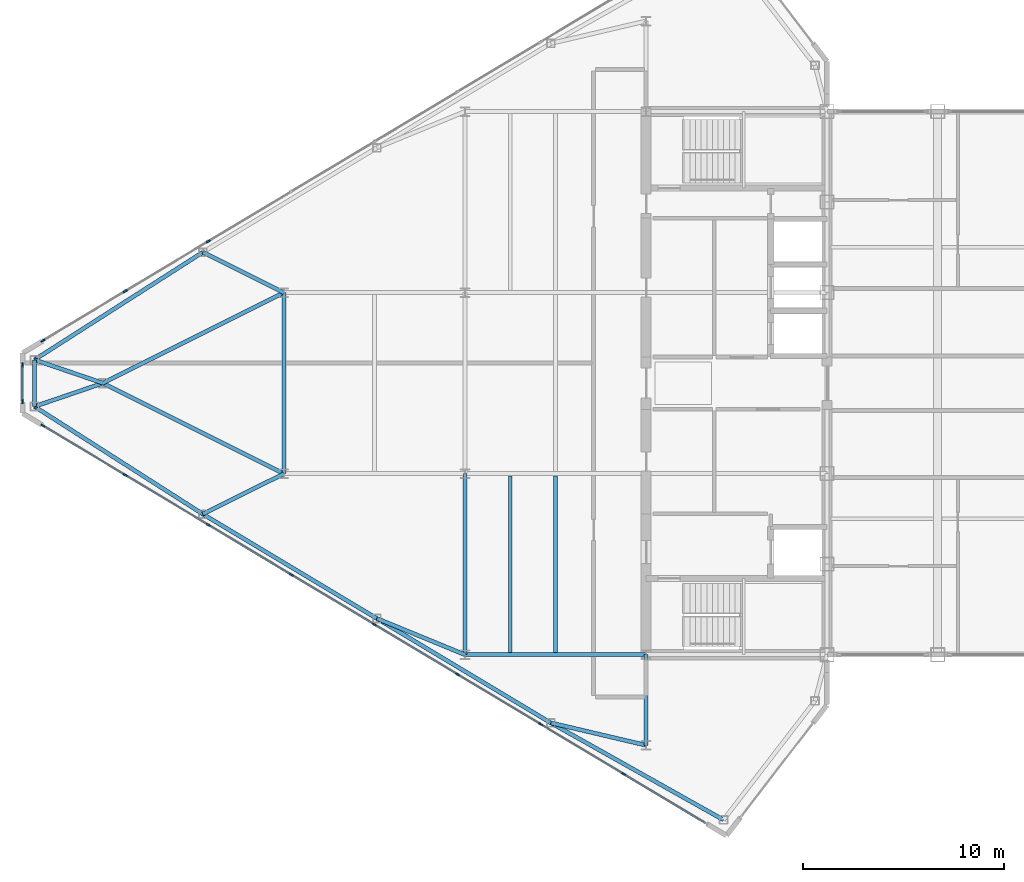
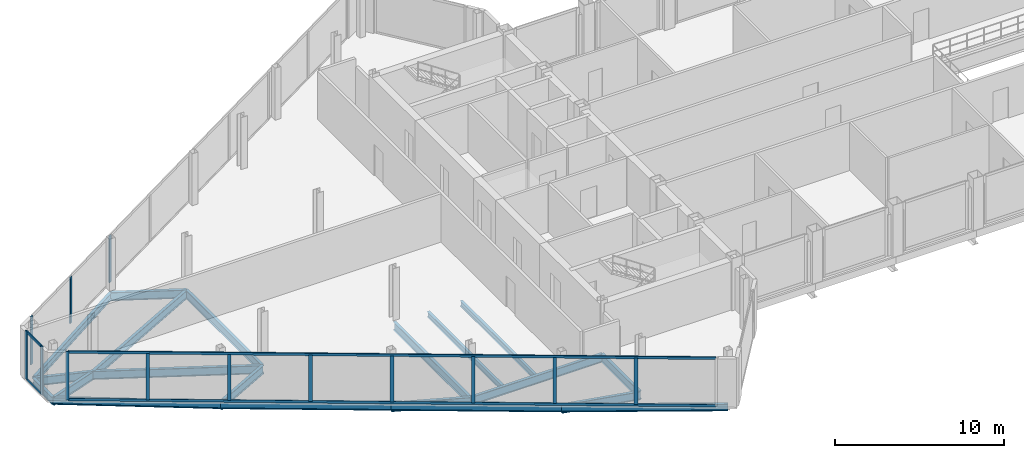
# One storey, part 8 of 28: 20 beams, 17 members, 3 elements without a shape of their own.
"""IFC4 building model written with IfcOpenShell, lengths in metres."""

from ifc_helpers import new_model, si_unit, direction, frame, origin, origin_2d, place, context, subcontext, project, spatial, rectangle, i_section, extrude, source, transform, mapped, material, layer, layer_set, material_profile, profile_set, type_object, type_shapes, element, aggregate, save


model = new_model("IFC4")

# Units and contexts
model_context = context("Model", 3, precision=1e-05, world=origin(), true_north=direction((0.0, 1.0)))
body_context = subcontext(model_context, "Body", "Model", "MODEL_VIEW")
ifc_project = project(units=[si_unit("LENGTHUNIT", "METRE"), si_unit("AREAUNIT", "SQUARE_METRE"), si_unit("VOLUMEUNIT", "CUBIC_METRE"), si_unit("PLANEANGLEUNIT", "RADIAN"), si_unit("MASSUNIT", "GRAM", prefix="KILO")], contexts=[model_context])

# Site, building, storey
site_placement = place(None, origin())
site = spatial("IfcSite", under=ifc_project, at=site_placement, CompositionType="ELEMENT")
building_placement = place(site_placement, origin())
building = spatial("IfcBuilding", under=site, at=building_placement, Name="Seokmaru Belvedere", CompositionType="ELEMENT")
storey_placement = place(building_placement, frame((0.0, 0.0, 265.64990234375)))
storey = spatial("IfcBuildingStorey", under=building, at=storey_placement, Name="L70", CompositionType="ELEMENT", Elevation=265.64990234375)

# Beams
ifc_material_1 = material(Name="Steel SM355 (355 MPa)", Category="steel")
ifc_material_profile_1 = material_profile(ifc_material_1, i_section(OverallWidth=0.199951171875, OverallDepth=0.60009765625, WebThickness=0.010986328125, FlangeThickness=0.01708984375, at=origin_2d()), Name="H-600x200x11x17")
ifc_profile_set_1 = profile_set([ifc_material_profile_1], Name="Steel SM355 (355 MPa)")
beam_type_1 = type_object("IfcBeamType", Name="Primary Floor Girder H-600", PredefinedType="BEAM", material=ifc_profile_set_1)
shared_shape_1 = source(origin(), body_context, "Body", "SweptSolid", [
    extrude(i_section(OverallWidth=0.199951171875, OverallDepth=0.60009765625, WebThickness=0.010986328125, FlangeThickness=0.01708984375, at=origin_2d()), origin(), (0.0, 0.0, 1.0), 9.0),
])
for number, where, z_axis, x_axis, name in (
    (1, (-45.5, -13.5, -0.52001953125), (0.0, 1.0, 0.0), (-1.0, 0.0, 0.0), "L70 W Interior Grid Girder 1"),
    (2, (-45.5, -13.5, -0.52001953125), (1.0, 0.0, 0.0), (0.0, 1.0, 0.0), "L70 W Wing Primary Girder 1"),
    (3, (-54.5, -4.5, -0.52001953125), (0.0, 1.0, 0.0), (-1.0, 0.0, 0.0), "L70 W Apex Frame Girder"),
):
    element("IfcBeam", number, at=place(storey_placement, frame(where, z_axis=z_axis, x_axis=x_axis)), inside=storey, type_object=beam_type_1, Name=name, PredefinedType="BEAM", context=body_context, shape_type="MappedRepresentation", body=[
        mapped(shared_shape_1, transform((0.0, 0.0, 0.0), scale=1.0)),
    ])
shared_shape_2 = source(origin(), body_context, "Body", "SweptSolid", [
    extrude(i_section(OverallWidth=0.199951171875, OverallDepth=0.60009765625, WebThickness=0.010986328125, FlangeThickness=0.01708984375, at=origin_2d()), origin(), (0.0, 0.0, 1.0), 10.062255859375),
])
for number, where, z_axis, x_axis, name in (
    (4, (-54.5, -4.5, -0.52001953125), (-0.894427191, 0.4472135955, 0.0), (-0.4472135955, -0.894427191, 0.0), "L70 W Apex Converging Girder 1"),
    (5, (-54.5, 4.5, -0.52001953125), (-0.894427191, -0.4472135955, 0.0), (0.4472135955, -0.894427191, 0.0), "L70 W Apex Converging Girder 2"),
):
    element("IfcBeam", number, at=place(storey_placement, frame(where, z_axis=z_axis, x_axis=x_axis)), inside=storey, type_object=beam_type_1, Name=name, PredefinedType="BEAM", context=body_context, shape_type="MappedRepresentation", body=[
        mapped(shared_shape_2, transform((0.0, 0.0, 0.0), scale=1.0)),
    ])
ifc_material_profile_2 = material_profile(ifc_material_1, i_section(OverallWidth=0.18505859375, OverallDepth=0.389892578125, WebThickness=0.008056640625, FlangeThickness=0.011962890625, at=origin_2d()), Name="H-390x185x8x12")
ifc_profile_set_2 = profile_set([ifc_material_profile_2], Name="Steel SM355 (355 MPa)")
beam_type_2 = type_object("IfcBeamType", Name="Secondary Floor Joist H-350", PredefinedType="JOIST", material=ifc_profile_set_2)
shared_shape_3 = source(origin(), body_context, "Body", "SweptSolid", [
    extrude(i_section(OverallWidth=0.18505859375, OverallDepth=0.389892578125, WebThickness=0.008056640625, FlangeThickness=0.011962890625, at=origin_2d()), origin(), (0.0, 0.0, 1.0), 8.7900390625),
])
type_shapes(beam_type_2, [shared_shape_3])
for number, where, z_axis, x_axis, name in (
    (6, (-43.25, -13.39501953125, -0.414794921875), (0.0, 1.0, 0.0), (-1.0, 0.0, 0.0), "L70 W Wing Inner Secondary Joist 1"),
    (7, (-41.0, -13.39501953125, -0.414794921875), (0.0, 1.0, 0.0), (-1.0, 0.0, 0.0), "L70 W Secondary Floor Joist 1"),
):
    element("IfcBeam", number, at=place(storey_placement, frame(where, z_axis=z_axis, x_axis=x_axis)), inside=storey, type_object=beam_type_2, Name=name, PredefinedType="JOIST", context=body_context, shape_type="MappedRepresentation", body=[
        mapped(shared_shape_3, transform((0.0, 0.0, 0.0), scale=1.0)),
    ])
shared_shape_4 = source(origin(), body_context, "Body", "SweptSolid", [
    extrude(i_section(OverallWidth=0.199951171875, OverallDepth=0.60009765625, WebThickness=0.010986328125, FlangeThickness=0.01708984375, at=origin_2d()), origin(), (0.0, 0.0, 1.0), 4.5),
])
beam_1_placement = place(storey_placement, frame((-36.5, -18.0, -0.52001953125), z_axis=(0.0, 1.0, 0.0), x_axis=(-1.0, 0.0, 0.0)))
element("IfcBeam", 8, at=beam_1_placement, inside=storey, type_object=beam_type_1, Name="L70 W Core Shoulder Girder S", PredefinedType="BEAM", context=body_context, shape_type="MappedRepresentation", body=[
    mapped(shared_shape_4, transform((0.0, 0.0, 0.0), scale=1.0)),
])
ifc_material_profile_3 = material_profile(ifc_material_1, i_section(OverallWidth=0.199951171875, OverallDepth=0.5, WebThickness=0.010009765625, FlangeThickness=0.01611328125, at=origin_2d()), Name="H-500x200x10x16")
ifc_profile_set_3 = profile_set([ifc_material_profile_3], Name="Steel SM355 (355 MPa)")
beam_type_3 = type_object("IfcBeamType", Name="Perimeter Spandrel Beam H-500", PredefinedType="SPANDREL", material=ifc_profile_set_3)
shared_shape_5 = source(origin(), body_context, "Body", "SweptSolid", [
    extrude(i_section(OverallWidth=0.199951171875, OverallDepth=0.5, WebThickness=0.010009765625, FlangeThickness=0.01611328125, at=origin_2d()), origin(), (0.0, 0.0, 1.0), 9.842041015625),
])
beam_2_placement = place(storey_placement, frame((-32.649658203125, -21.71044921875, -0.469970703125), z_axis=(-0.871782151818, 0.489893743349, 0.0), x_axis=(-0.489893743349, -0.871782151818, 0.0)))
element("IfcBeam", 9, at=beam_2_placement, inside=storey, type_object=beam_type_3, Name="L70 W Faceted Flank Spandrel S-1", PredefinedType="SPANDREL", context=body_context, shape_type="MappedRepresentation", body=[
    mapped(shared_shape_5, transform((0.0, 0.0, 0.0), scale=1.0)),
])
shared_shape_6 = source(origin(), body_context, "Body", "SweptSolid", [
    extrude(i_section(OverallWidth=0.199951171875, OverallDepth=0.5, WebThickness=0.010009765625, FlangeThickness=0.01611328125, at=origin_2d()), origin(), (0.0, 0.0, 1.0), 10.087646484375),
])
for number, where, z_axis, x_axis, name in (
    (10, (-41.229736328125, -16.888916015625, -0.469970703125), (-0.857499332045, 0.514485078056, 0.0), (-0.514485078056, -0.857499332045, 0.0), "L70 W Faceted Flank Spandrel S-2"),
    (11, (-49.8798828125, -11.698974609375, -0.469970703125), (-0.857488654804, 0.514502873542, 0.0), (-0.514502873542, -0.857488654804, 0.0), "L70 W Faceted Flank Spandrel S-3"),
):
    element("IfcBeam", number, at=place(storey_placement, frame(where, z_axis=z_axis, x_axis=x_axis)), inside=storey, type_object=beam_type_3, Name=name, PredefinedType="SPANDREL", context=body_context, shape_type="MappedRepresentation", body=[
        mapped(shared_shape_6, transform((0.0, 0.0, 0.0), scale=1.0)),
    ])
shared_shape_7 = source(origin(), body_context, "Body", "SweptSolid", [
    extrude(i_section(OverallWidth=0.199951171875, OverallDepth=0.5, WebThickness=0.010009765625, FlangeThickness=0.01611328125, at=origin_2d()), origin(), (0.0, 0.0, 1.0), 9.932861328125),
])
for number, where, z_axis, x_axis, name in (
    (12, (-58.530029296875, -6.5087890625, -0.469970703125), (-0.842651960357, 0.538458609093, 0.0), (-0.538458609093, -0.842651960357, 0.0), "L70 W Faceted Flank Spandrel S-4"),
    (13, (-58.530029296875, 6.5087890625, -0.469970703125), (-0.842651960357, -0.538458609093, 0.0), (0.538458609093, -0.842651960357, 0.0), "L70 W Faceted Flank Spandrel N-4"),
):
    element("IfcBeam", number, at=place(storey_placement, frame(where, z_axis=z_axis, x_axis=x_axis)), inside=storey, type_object=beam_type_3, Name=name, PredefinedType="SPANDREL", context=body_context, shape_type="MappedRepresentation", body=[
        mapped(shared_shape_7, transform((0.0, 0.0, 0.0), scale=1.0)),
    ])
shared_shape_8 = source(origin(), body_context, "Body", "SweptSolid", [
    extrude(i_section(OverallWidth=0.199951171875, OverallDepth=0.5, WebThickness=0.010009765625, FlangeThickness=0.01611328125, at=origin_2d()), origin(), (0.0, 0.0, 1.0), 2.32080078125),
])
type_shapes(beam_type_3, [shared_shape_5, shared_shape_6, shared_shape_7, shared_shape_8])
beam_3_placement = place(storey_placement, frame((-66.89990234375, -1.160400390625, -0.469970703125), z_axis=(0.0, 1.0, 0.0), x_axis=(-1.0, 0.0, 0.0)))
element("IfcBeam", 14, at=beam_3_placement, inside=storey, type_object=beam_type_3, Name="L70 W Faceted Apex Spandrel", PredefinedType="SPANDREL", context=body_context, shape_type="MappedRepresentation", body=[
    mapped(shared_shape_8, transform((0.0, 0.0, 0.0), scale=1.0)),
])
shared_shape_9 = source(origin(), body_context, "Body", "SweptSolid", [
    extrude(i_section(OverallWidth=0.199951171875, OverallDepth=0.60009765625, WebThickness=0.010986328125, FlangeThickness=0.01708984375, at=origin_2d()), origin(), (0.0, 0.0, 1.0), 4.8583984375),
])
beam_4_placement = place(storey_placement, frame((-41.229736328125, -16.888916015625, -0.52001953125), z_axis=(0.97349948295, -0.228689214211, 0.0), x_axis=(0.228689214211, 0.97349948295, 0.0)))
element("IfcBeam", 15, at=beam_4_placement, inside=storey, type_object=beam_type_1, Name="L70 W Flank Radial Floor Girder S-1", PredefinedType="BEAM", context=body_context, shape_type="MappedRepresentation", body=[
    mapped(shared_shape_9, transform((0.0, 0.0, 0.0), scale=1.0)),
])
shared_shape_10 = source(origin(), body_context, "Body", "SweptSolid", [
    extrude(i_section(OverallWidth=0.199951171875, OverallDepth=0.60009765625, WebThickness=0.010986328125, FlangeThickness=0.01708984375, at=origin_2d()), origin(), (0.0, 0.0, 1.0), 4.73583984375),
])
beam_5_placement = place(storey_placement, frame((-49.8798828125, -11.698974609375, -0.52001953125), z_axis=(0.924860562953, -0.380306375301, 0.0), x_axis=(0.380306375301, 0.924860562953, 0.0)))
element("IfcBeam", 16, at=beam_5_placement, inside=storey, type_object=beam_type_1, Name="L70 W Flank Radial Floor Girder S-2", PredefinedType="BEAM", context=body_context, shape_type="MappedRepresentation", body=[
    mapped(shared_shape_10, transform((0.0, 0.0, 0.0), scale=1.0)),
])
shared_shape_11 = source(origin(), body_context, "Body", "SweptSolid", [
    extrude(i_section(OverallWidth=0.199951171875, OverallDepth=0.60009765625, WebThickness=0.010986328125, FlangeThickness=0.01708984375, at=origin_2d()), origin(), (0.0, 0.0, 1.0), 4.5029296875),
])
for number, where, z_axis, x_axis, name in (
    (17, (-58.530029296875, -6.5087890625, -0.52001953125), (0.894979532585, 0.446107202648, 0.0), (-0.446107202648, 0.894979532585, 0.0), "L70 W Flank Radial Floor Girder S-3"),
    (18, (-58.530029296875, 6.5087890625, -0.52001953125), (0.894979532585, -0.446107202648, 0.0), (0.446107202648, 0.894979532585, 0.0), "L70 W Flank Radial Floor Girder N-3"),
):
    element("IfcBeam", number, at=place(storey_placement, frame(where, z_axis=z_axis, x_axis=x_axis)), inside=storey, type_object=beam_type_1, Name=name, PredefinedType="BEAM", context=body_context, shape_type="MappedRepresentation", body=[
        mapped(shared_shape_11, transform((0.0, 0.0, 0.0), scale=1.0)),
    ])
shared_shape_12 = source(origin(), body_context, "Body", "SweptSolid", [
    extrude(i_section(OverallWidth=0.199951171875, OverallDepth=0.60009765625, WebThickness=0.010986328125, FlangeThickness=0.01708984375, at=origin_2d()), origin(), (0.0, 0.0, 1.0), 3.592529296875),
])
type_shapes(beam_type_1, [shared_shape_1, shared_shape_2, shared_shape_4, shared_shape_9, shared_shape_10, shared_shape_11, shared_shape_12])
for number, where, z_axis, x_axis, name in (
    (19, (-66.89990234375, -1.160400390625, -0.52001953125), (0.946395973048, 0.323008764893, 0.0), (-0.323008764893, 0.946395973048, 0.0), "L70 W Apex Radial Floor Girder 1"),
    (20, (-66.89990234375, 1.160400390625, -0.52001953125), (0.946395973048, -0.323008764893, 0.0), (0.323008764893, 0.946395973048, 0.0), "L70 W Apex Radial Floor Girder 2"),
):
    element("IfcBeam", number, at=place(storey_placement, frame(where, z_axis=z_axis, x_axis=x_axis)), inside=storey, type_object=beam_type_1, Name=name, PredefinedType="BEAM", context=body_context, shape_type="MappedRepresentation", body=[
        mapped(shared_shape_12, transform((0.0, 0.0, 0.0), scale=1.0)),
    ])

# Curtain wall, members
ifc_material_2 = material(Name="Bronze Triple Insulating Glass", Category="glass")
ifc_layer = layer(ifc_material_2, 0.219970703125)
ifc_layer_set = layer_set([ifc_layer], Name="Bronze Triple Insulating Glass")
curtain_wall_type = type_object("IfcCurtainWallType", Name="Sky-Gate Bridge Panorama Curtain Wall System CW-6", PredefinedType="NOTDEFINED", material=ifc_layer_set)
curtain_wall_1_placement = place(storey_placement, origin())
curtain_wall_1 = element("IfcCurtainWall", 21, at=curtain_wall_1_placement, inside=storey, type_object=curtain_wall_type, Name="L70 Curtain Wall WF5", PredefinedType="NOTDEFINED")
ifc_material_3 = material(Name="Anodised Bronze Aluminium", Category="aluminium")
ifc_material_profile_4 = material_profile(ifc_material_3, rectangle(XDim=0.074951171875, YDim=0.179931640625, at=origin_2d()), Name="CW-T-75x180")
ifc_profile_set_4 = profile_set([ifc_material_profile_4], Name="Anodised Bronze Aluminium")
member_type_1 = type_object("IfcMemberType", Name="Bronze Unitised Transom 75x180", PredefinedType="USERDEFINED", material=ifc_profile_set_4)
shared_shape_13 = source(origin(), body_context, "Body", "SweptSolid", [
    extrude(rectangle(XDim=0.074951171875, YDim=0.179931640625, at=origin_2d()), origin(), (0.0, 0.0, 1.0), 38.356689453125),
])
member_1_placement = place(storey_placement, frame((-66.4453125, -2.1328125, 0.03759765625), z_axis=(0.857492925713, -0.514495755428, 0.0), x_axis=(0.514495755428, 0.857492925713, 0.0)))
member_1 = element("IfcMember", 22, at=member_1_placement, type_object=member_type_1, Name="CW:L70:WF5 Continuous Transom 1", ObjectType="TRANSOM", PredefinedType="USERDEFINED", context=body_context, shape_type="MappedRepresentation", body=[
    mapped(shared_shape_13, transform((0.0, 0.0, 0.0), scale=1.0)),
])
member_2_placement = place(storey_placement, frame((-66.4453125, -2.1328125, 3.45263671875), z_axis=(0.857492925713, -0.514495755428, 0.0), x_axis=(0.514495755428, 0.857492925713, 0.0)))
member_2 = element("IfcMember", 23, at=member_2_placement, type_object=member_type_1, Name="CW:L70:WF5 Continuous Transom 2", ObjectType="TRANSOM", PredefinedType="USERDEFINED", context=body_context, shape_type="MappedRepresentation", body=[
    mapped(shared_shape_13, transform((0.0, 0.0, 0.0), scale=1.0)),
])

curtain_wall_2_placement = place(storey_placement, origin())
curtain_wall_2 = element("IfcCurtainWall", 24, at=curtain_wall_2_placement, inside=storey, type_object=curtain_wall_type, Name="L70 Curtain Wall WF4", PredefinedType="NOTDEFINED")
shared_shape_14 = source(origin(), body_context, "Body", "SweptSolid", [
    extrude(rectangle(XDim=0.074951171875, YDim=0.179931640625, at=origin_2d()), origin(), (0.0, 0.0, 1.0), 1.740234375),
])
type_shapes(member_type_1, [shared_shape_13, shared_shape_14])
member_3_placement = place(storey_placement, frame((-67.5, 0.8701171875, 0.03759765625), z_axis=(0.0, -1.0, 0.0), x_axis=(1.0, 0.0, 0.0)))
member_3 = element("IfcMember", 25, at=member_3_placement, type_object=member_type_1, Name="CW:L70:WF4 Continuous Transom 1", ObjectType="TRANSOM", PredefinedType="USERDEFINED", context=body_context, shape_type="MappedRepresentation", body=[
    mapped(shared_shape_14, transform((0.0, 0.0, 0.0), scale=1.0)),
])
member_4_placement = place(storey_placement, frame((-67.5, 0.8701171875, 3.45263671875), z_axis=(0.0, -1.0, 0.0), x_axis=(1.0, 0.0, 0.0)))
member_4 = element("IfcMember", 26, at=member_4_placement, type_object=member_type_1, Name="CW:L70:WF4 Continuous Transom 2", ObjectType="TRANSOM", PredefinedType="USERDEFINED", context=body_context, shape_type="MappedRepresentation", body=[
    mapped(shared_shape_14, transform((0.0, 0.0, 0.0), scale=1.0)),
])

# Curtain wall, member
curtain_wall_3_placement = place(storey_placement, origin())
curtain_wall_3 = element("IfcCurtainWall", 27, at=curtain_wall_3_placement, inside=storey, type_object=curtain_wall_type, Name="L70 Curtain Wall WF3", PredefinedType="NOTDEFINED")
ifc_material_profile_5 = material_profile(ifc_material_3, rectangle(XDim=0.080078125, YDim=0.219970703125, at=origin_2d()), Name="CW-M-80x220")
ifc_profile_set_5 = profile_set([ifc_material_profile_5], Name="Anodised Bronze Aluminium")
member_type_2 = type_object("IfcMemberType", Name="Bronze Unitised Mullion 80x220", PredefinedType="MULLION", material=ifc_profile_set_5)
shared_shape_15 = source(origin(), body_context, "Body", "SweptSolid", [
    extrude(rectangle(XDim=0.080078125, YDim=0.219970703125, at=origin_2d()), origin(), (0.0, 0.0, 1.0), 3.489990234375),
])
member_5_placement = place(storey_placement, frame((-66.4794921875, 2.1123046875, 0.0), z_axis=(0.0, 0.0, 1.0), x_axis=(0.514494909364, -0.85749343335, 0.0)))
member_5 = element("IfcMember", 28, at=member_5_placement, type_object=member_type_2, Name="CW:L70:WF3 Mullion 9", PredefinedType="MULLION", context=body_context, shape_type="MappedRepresentation", body=[
    mapped(shared_shape_15, transform((0.0, 0.0, 0.0), scale=1.0)),
])

# Member
member_6_placement = place(storey_placement, frame((-67.5, 0.909912109375, 0.0), z_axis=(0.0, 0.0, 1.0), x_axis=(1.0, 0.0, 0.0)))
member_6 = element("IfcMember", 29, at=member_6_placement, type_object=member_type_2, Name="CW:L70:WF4 Mullion 1", PredefinedType="MULLION", context=body_context, shape_type="MappedRepresentation", body=[
    mapped(shared_shape_15, transform((0.0, 0.0, 0.0), scale=1.0)),
])

member_7_placement = place(storey_placement, frame((-67.5, -0.909912109375, 0.0), z_axis=(0.0, 0.0, 1.0), x_axis=(1.0, 0.0, 0.0)))
member_7 = element("IfcMember", 30, at=member_7_placement, type_object=member_type_2, Name="CW:L70:WF4 Mullion 2", PredefinedType="MULLION", context=body_context, shape_type="MappedRepresentation", body=[
    mapped(shared_shape_15, transform((0.0, 0.0, 0.0), scale=1.0)),
])

aggregate(curtain_wall_2, [member_6, member_7, member_3, member_4])

member_8_placement = place(storey_placement, frame((-66.4794921875, -2.1123046875, 0.0), z_axis=(0.0, 0.0, 1.0), x_axis=(0.514494909364, 0.85749343335, 0.0)))
member_8 = element("IfcMember", 31, at=member_8_placement, type_object=member_type_2, Name="CW:L70:WF5 Mullion 1", PredefinedType="MULLION", context=body_context, shape_type="MappedRepresentation", body=[
    mapped(shared_shape_15, transform((0.0, 0.0, 0.0), scale=1.0)),
])

shared_shape_16 = source(origin(), body_context, "Body", "SweptSolid", [
    extrude(rectangle(XDim=0.080078125, YDim=0.219970703125, at=origin_2d()), origin(), (0.0, 0.0, 1.0), 3.33984375),
])
type_shapes(member_type_2, [shared_shape_15, shared_shape_16])
member_9_placement = place(storey_placement, frame((-58.257080078125, 7.0458984375, 0.0751953125), z_axis=(0.0, 0.0, 1.0), x_axis=(0.514494909364, -0.85749343335, 0.0)))
member_9 = element("IfcMember", 32, at=member_9_placement, type_object=member_type_2, Name="CW:L70:WF3 Mullion 7", PredefinedType="MULLION", context=body_context, shape_type="MappedRepresentation", body=[
    mapped(shared_shape_16, transform((0.0, 0.0, 0.0), scale=1.0)),
])

member_10_placement = place(storey_placement, frame((-62.385498046875, 4.56884765625, 0.0751953125), z_axis=(0.0, 0.0, 1.0), x_axis=(0.514494909364, -0.85749343335, 0.0)))
member_10 = element("IfcMember", 33, at=member_10_placement, type_object=member_type_2, Name="CW:L70:WF3 Mullion 8", PredefinedType="MULLION", context=body_context, shape_type="MappedRepresentation", body=[
    mapped(shared_shape_16, transform((0.0, 0.0, 0.0), scale=1.0)),
])

aggregate(curtain_wall_3, [member_9, member_10, member_5])

member_11_placement = place(storey_placement, frame((-62.385498046875, -4.56884765625, 0.0751953125), z_axis=(0.0, 0.0, 1.0), x_axis=(0.514494909364, 0.85749343335, 0.0)))
member_11 = element("IfcMember", 34, at=member_11_placement, type_object=member_type_2, Name="CW:L70:WF5 Mullion 2", PredefinedType="MULLION", context=body_context, shape_type="MappedRepresentation", body=[
    mapped(shared_shape_16, transform((0.0, 0.0, 0.0), scale=1.0)),
])

member_12_placement = place(storey_placement, frame((-58.257080078125, -7.0458984375, 0.0751953125), z_axis=(0.0, 0.0, 1.0), x_axis=(0.514494909364, 0.85749343335, 0.0)))
member_12 = element("IfcMember", 35, at=member_12_placement, type_object=member_type_2, Name="CW:L70:WF5 Mullion 3", PredefinedType="MULLION", context=body_context, shape_type="MappedRepresentation", body=[
    mapped(shared_shape_16, transform((0.0, 0.0, 0.0), scale=1.0)),
])

member_13_placement = place(storey_placement, frame((-54.12841796875, -9.52294921875, 0.0751953125), z_axis=(0.0, 0.0, 1.0), x_axis=(0.514494909364, 0.85749343335, 0.0)))
member_13 = element("IfcMember", 36, at=member_13_placement, type_object=member_type_2, Name="CW:L70:WF5 Mullion 4", PredefinedType="MULLION", context=body_context, shape_type="MappedRepresentation", body=[
    mapped(shared_shape_16, transform((0.0, 0.0, 0.0), scale=1.0)),
])

member_14_placement = place(storey_placement, frame((-50.0, -12.0, 0.0751953125), z_axis=(0.0, 0.0, 1.0), x_axis=(0.514494909364, 0.85749343335, 0.0)))
member_14 = element("IfcMember", 37, at=member_14_placement, type_object=member_type_2, Name="CW:L70:WF5 Mullion 5", PredefinedType="MULLION", context=body_context, shape_type="MappedRepresentation", body=[
    mapped(shared_shape_16, transform((0.0, 0.0, 0.0), scale=1.0)),
])

member_15_placement = place(storey_placement, frame((-45.87158203125, -14.47705078125, 0.0751953125), z_axis=(0.0, 0.0, 1.0), x_axis=(0.514494909364, 0.85749343335, 0.0)))
member_15 = element("IfcMember", 38, at=member_15_placement, type_object=member_type_2, Name="CW:L70:WF5 Mullion 6", PredefinedType="MULLION", context=body_context, shape_type="MappedRepresentation", body=[
    mapped(shared_shape_16, transform((0.0, 0.0, 0.0), scale=1.0)),
])

member_16_placement = place(storey_placement, frame((-41.742919921875, -16.9541015625, 0.0751953125), z_axis=(0.0, 0.0, 1.0), x_axis=(0.514494909364, 0.85749343335, 0.0)))
member_16 = element("IfcMember", 39, at=member_16_placement, type_object=member_type_2, Name="CW:L70:WF5 Mullion 7", PredefinedType="MULLION", context=body_context, shape_type="MappedRepresentation", body=[
    mapped(shared_shape_16, transform((0.0, 0.0, 0.0), scale=1.0)),
])

member_17_placement = place(storey_placement, frame((-37.614501953125, -19.43115234375, 0.0751953125), z_axis=(0.0, 0.0, 1.0), x_axis=(0.514494909364, 0.85749343335, 0.0)))
member_17 = element("IfcMember", 40, at=member_17_placement, type_object=member_type_2, Name="CW:L70:WF5 Mullion 8", PredefinedType="MULLION", context=body_context, shape_type="MappedRepresentation", body=[
    mapped(shared_shape_16, transform((0.0, 0.0, 0.0), scale=1.0)),
])

aggregate(curtain_wall_1, [member_8, member_11, member_12, member_13, member_14, member_15, member_16, member_17, member_1, member_2])

save(model, "model.ifc")
